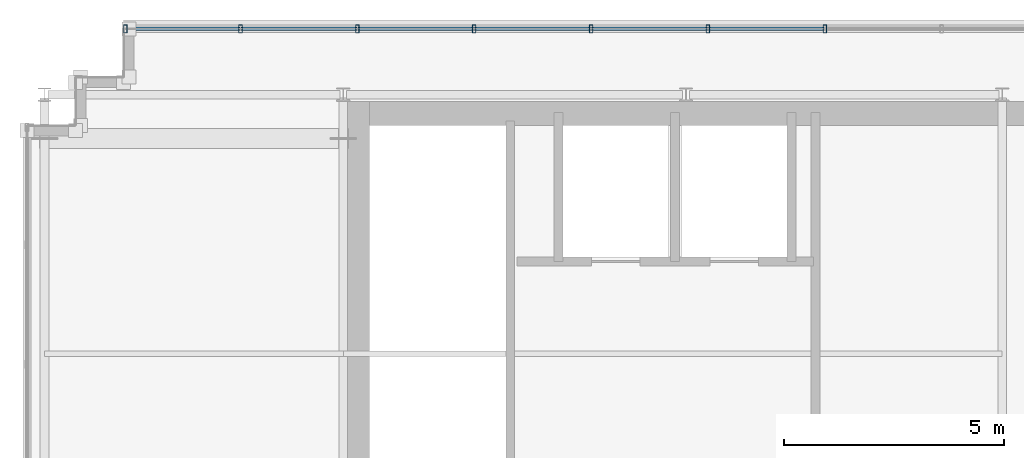
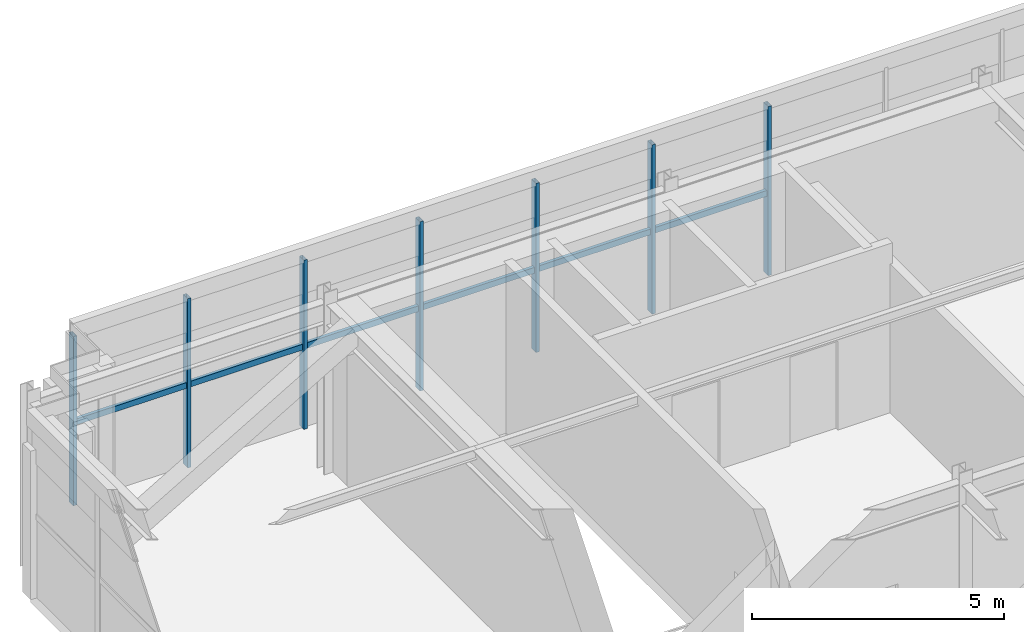
# One storey, part 23 of 37: 13 members, 1 element without a shape of its own.
"""IFC4 building model written with IfcOpenShell, lengths in metres."""

from ifc_helpers import new_model, si_unit, direction, frame, origin, origin_2d, place, context, subcontext, project, spatial, hollow_rectangle, extrude, source, transform, mapped, material, material_profile, profile_set, type_object, element, aggregate, save


model = new_model("IFC4")

# Units and contexts
model_context = context("Model", 3, precision=1e-05, world=origin(), true_north=direction((0.0, 1.0)))
body_context = subcontext(model_context, "Body", "Model", "MODEL_VIEW")
ifc_project = project(units=[si_unit("LENGTHUNIT", "METRE"), si_unit("AREAUNIT", "SQUARE_METRE"), si_unit("VOLUMEUNIT", "CUBIC_METRE"), si_unit("PLANEANGLEUNIT", "RADIAN"), si_unit("MASSUNIT", "GRAM", prefix="KILO")], contexts=[model_context])

# Site, building, storey
site_placement = place(None, origin())
site = spatial("IfcSite", under=ifc_project, at=site_placement, CompositionType="ELEMENT")
building_placement = place(site_placement, origin())
building = spatial("IfcBuilding", under=site, at=building_placement, Name="Trelvane Seafront Commons", CompositionType="ELEMENT")
storey_placement = place(building_placement, frame((0.0, 0.0, 303.5)))
storey = spatial("IfcBuildingStorey", under=building, at=storey_placement, Name="L79", CompositionType="ELEMENT", Elevation=303.5)

# Curtain wall, members
ifc_material = material(Name="Anodised pale-silver aluminium", Category="aluminium")
curtain_wall_type = type_object("IfcCurtainWallType", Name="ARCH-CW6-CROWN", PredefinedType="NOTDEFINED", material=ifc_material)
curtain_wall_placement = place(storey_placement, origin())
curtain_wall = element("IfcCurtainWall", 1, at=curtain_wall_placement, inside=storey, type_object=curtain_wall_type, Name="CW-L79-0129", PredefinedType="NOTDEFINED")
ifc_material_profile_1 = material_profile(ifc_material, hollow_rectangle(XDim=0.074951171875, YDim=0.139892578125, WallThickness=0.00390625, at=origin_2d()), Name="TRAN-75x140x4")
ifc_profile_set_1 = profile_set([ifc_material_profile_1], Name="Anodised pale-silver aluminium")
member_type_1 = type_object("IfcMemberType", Name="ARCH-CW-TRAN-140", PredefinedType="USERDEFINED", material=ifc_profile_set_1)
shared_shape_1 = source(origin(), body_context, "Body", "SweptSolid", [
    extrude(hollow_rectangle(XDim=0.074951171875, YDim=0.139892578125, WallThickness=0.00390625, at=origin_2d()), origin(), (0.0, 0.0, 1.0), 2.635986328125),
])
member_1_placement = place(storey_placement, frame((10.612060546875, 46.60009765625, 1.968017578125), z_axis=(1.0, 0.0, 0.0), x_axis=(0.0, 1.0, 0.0)))
member_1 = element("IfcMember", 2, at=member_1_placement, type_object=member_type_1, Name="CW-L79-0129-T00", ObjectType="TRANSOM", PredefinedType="USERDEFINED", context=body_context, shape_type="MappedRepresentation", body=[
    mapped(shared_shape_1, transform((0.0, 0.0, 0.0), x_axis=(1.0, 0.0, 0.0), y_axis=(0.0, 1.0, 0.0), z_axis=(0.0, 0.0, 1.0), scale=1.0)),
])
member_2_placement = place(storey_placement, frame((13.27197265625, 46.60009765625, 1.968017578125), z_axis=(1.0, 0.0, 0.0), x_axis=(0.0, 1.0, 0.0)))
member_2 = element("IfcMember", 3, at=member_2_placement, type_object=member_type_1, Name="CW-L79-0129-T01", ObjectType="TRANSOM", PredefinedType="USERDEFINED", context=body_context, shape_type="MappedRepresentation", body=[
    mapped(shared_shape_1, transform((0.0, 0.0, 0.0), x_axis=(1.0, 0.0, 0.0), y_axis=(0.0, 1.0, 0.0), z_axis=(0.0, 0.0, 1.0), scale=1.0)),
])
member_3_placement = place(storey_placement, frame((18.592041015625, 46.60009765625, 1.968017578125), z_axis=(1.0, 0.0, 0.0), x_axis=(0.0, 1.0, 0.0)))
member_3 = element("IfcMember", 4, at=member_3_placement, type_object=member_type_1, Name="CW-L79-0129-T03", ObjectType="TRANSOM", PredefinedType="USERDEFINED", context=body_context, shape_type="MappedRepresentation", body=[
    mapped(shared_shape_1, transform((0.0, 0.0, 0.0), x_axis=(1.0, 0.0, 0.0), y_axis=(0.0, 1.0, 0.0), z_axis=(0.0, 0.0, 1.0), scale=1.0)),
])
member_4_placement = place(storey_placement, frame((21.251953125, 46.60009765625, 1.968017578125), z_axis=(1.0, 0.0, 0.0), x_axis=(0.0, 1.0, 0.0)))
member_4 = element("IfcMember", 5, at=member_4_placement, type_object=member_type_1, Name="CW-L79-0129-T04", ObjectType="TRANSOM", PredefinedType="USERDEFINED", context=body_context, shape_type="MappedRepresentation", body=[
    mapped(shared_shape_1, transform((0.0, 0.0, 0.0), x_axis=(1.0, 0.0, 0.0), y_axis=(0.0, 1.0, 0.0), z_axis=(0.0, 0.0, 1.0), scale=1.0)),
])
member_5_placement = place(storey_placement, frame((23.912109375, 46.60009765625, 1.968017578125), z_axis=(1.0, 0.0, 0.0), x_axis=(0.0, 1.0, 0.0)))
member_5 = element("IfcMember", 6, at=member_5_placement, type_object=member_type_1, Name="CW-L79-0129-T05", ObjectType="TRANSOM", PredefinedType="USERDEFINED", context=body_context, shape_type="MappedRepresentation", body=[
    mapped(shared_shape_1, transform((0.0, 0.0, 0.0), x_axis=(1.0, 0.0, 0.0), y_axis=(0.0, 1.0, 0.0), z_axis=(0.0, 0.0, 1.0), scale=1.0)),
])
shared_shape_2 = source(origin(), body_context, "Body", "SweptSolid", [
    extrude(hollow_rectangle(XDim=0.074951171875, YDim=0.139892578125, WallThickness=0.00390625, at=origin_2d()), origin(), (0.0, 0.0, 1.0), 2.63623046875),
])
member_6_placement = place(storey_placement, frame((15.931884765625, 46.60009765625, 1.968017578125), z_axis=(1.0, 0.0, 0.0), x_axis=(0.0, 1.0, 0.0)))
member_6 = element("IfcMember", 7, at=member_6_placement, type_object=member_type_1, Name="CW-L79-0129-T02", ObjectType="TRANSOM", PredefinedType="USERDEFINED", context=body_context, shape_type="MappedRepresentation", body=[
    mapped(shared_shape_2, transform((0.0, 0.0, 0.0), x_axis=(1.0, 0.0, 0.0), y_axis=(0.0, 1.0, 0.0), z_axis=(0.0, 0.0, 1.0), scale=1.0)),
])
ifc_material_profile_2 = material_profile(ifc_material, hollow_rectangle(XDim=0.080078125, YDim=0.179931640625, WallThickness=0.00439453125, at=origin_2d()), Name="MULL-80x180x4.5")
ifc_profile_set_2 = profile_set([ifc_material_profile_2], Name="Anodised pale-silver aluminium")
member_type_2 = type_object("IfcMemberType", Name="ARCH-CW-MULL-180", PredefinedType="MULLION", material=ifc_profile_set_2)
shared_shape_3 = source(origin(), body_context, "Body", "SweptSolid", [
    extrude(hollow_rectangle(XDim=0.080078125, YDim=0.179931640625, WallThickness=0.00439453125, at=origin_2d()), origin(), (0.0, 0.0, 1.0), 4.10009765625),
])
member_7_placement = place(storey_placement, frame((10.639892578125, 46.60009765625, 0.0), z_axis=(0.0, 0.0, 1.0), x_axis=(1.0, 0.0, 0.0)))
member_7 = element("IfcMember", 8, at=member_7_placement, type_object=member_type_2, Name="CW-L79-0129-M00", PredefinedType="MULLION", context=body_context, shape_type="MappedRepresentation", body=[
    mapped(shared_shape_3, transform((0.0, 0.0, 0.0), x_axis=(1.0, 0.0, 0.0), y_axis=(0.0, 1.0, 0.0), z_axis=(0.0, 0.0, 1.0), scale=1.0)),
])
member_8_placement = place(storey_placement, frame((13.260009765625, 46.60009765625, 0.0), z_axis=(0.0, 0.0, 1.0), x_axis=(1.0, 0.0, 0.0)))
member_8 = element("IfcMember", 9, at=member_8_placement, type_object=member_type_2, Name="CW-L79-0129-M01", PredefinedType="MULLION", context=body_context, shape_type="MappedRepresentation", body=[
    mapped(shared_shape_3, transform((0.0, 0.0, 0.0), x_axis=(1.0, 0.0, 0.0), y_axis=(0.0, 1.0, 0.0), z_axis=(0.0, 0.0, 1.0), scale=1.0)),
])
member_9_placement = place(storey_placement, frame((15.919921875, 46.60009765625, 0.0), z_axis=(0.0, 0.0, 1.0), x_axis=(1.0, 0.0, 0.0)))
member_9 = element("IfcMember", 10, at=member_9_placement, type_object=member_type_2, Name="CW-L79-0129-M02", PredefinedType="MULLION", context=body_context, shape_type="MappedRepresentation", body=[
    mapped(shared_shape_3, transform((0.0, 0.0, 0.0), x_axis=(1.0, 0.0, 0.0), y_axis=(0.0, 1.0, 0.0), z_axis=(0.0, 0.0, 1.0), scale=1.0)),
])
member_10_placement = place(storey_placement, frame((18.580078125, 46.60009765625, 0.0), z_axis=(0.0, 0.0, 1.0), x_axis=(1.0, 0.0, 0.0)))
member_10 = element("IfcMember", 11, at=member_10_placement, type_object=member_type_2, Name="CW-L79-0129-M03", PredefinedType="MULLION", context=body_context, shape_type="MappedRepresentation", body=[
    mapped(shared_shape_3, transform((0.0, 0.0, 0.0), x_axis=(1.0, 0.0, 0.0), y_axis=(0.0, 1.0, 0.0), z_axis=(0.0, 0.0, 1.0), scale=1.0)),
])
member_11_placement = place(storey_placement, frame((21.239990234375, 46.60009765625, 0.0), z_axis=(0.0, 0.0, 1.0), x_axis=(1.0, 0.0, 0.0)))
member_11 = element("IfcMember", 12, at=member_11_placement, type_object=member_type_2, Name="CW-L79-0129-M04", PredefinedType="MULLION", context=body_context, shape_type="MappedRepresentation", body=[
    mapped(shared_shape_3, transform((0.0, 0.0, 0.0), x_axis=(1.0, 0.0, 0.0), y_axis=(0.0, 1.0, 0.0), z_axis=(0.0, 0.0, 1.0), scale=1.0)),
])
member_12_placement = place(storey_placement, frame((23.89990234375, 46.60009765625, 0.0), z_axis=(0.0, 0.0, 1.0), x_axis=(1.0, 0.0, 0.0)))
member_12 = element("IfcMember", 13, at=member_12_placement, type_object=member_type_2, Name="CW-L79-0129-M05", PredefinedType="MULLION", context=body_context, shape_type="MappedRepresentation", body=[
    mapped(shared_shape_3, transform((0.0, 0.0, 0.0), x_axis=(1.0, 0.0, 0.0), y_axis=(0.0, 1.0, 0.0), z_axis=(0.0, 0.0, 1.0), scale=1.0)),
])
member_13_placement = place(storey_placement, frame((26.56005859375, 46.60009765625, 0.0), z_axis=(0.0, 0.0, 1.0), x_axis=(1.0, 0.0, 0.0)))
member_13 = element("IfcMember", 14, at=member_13_placement, type_object=member_type_2, Name="CW-L79-0129-M06", PredefinedType="MULLION", context=body_context, shape_type="MappedRepresentation", body=[
    mapped(shared_shape_3, transform((0.0, 0.0, 0.0), x_axis=(1.0, 0.0, 0.0), y_axis=(0.0, 1.0, 0.0), z_axis=(0.0, 0.0, 1.0), scale=1.0)),
])
aggregate(curtain_wall, [member_7, member_8, member_9, member_10, member_11, member_12, member_13, member_1, member_2, member_6, member_3, member_4, member_5])

save(model, "model.ifc")
